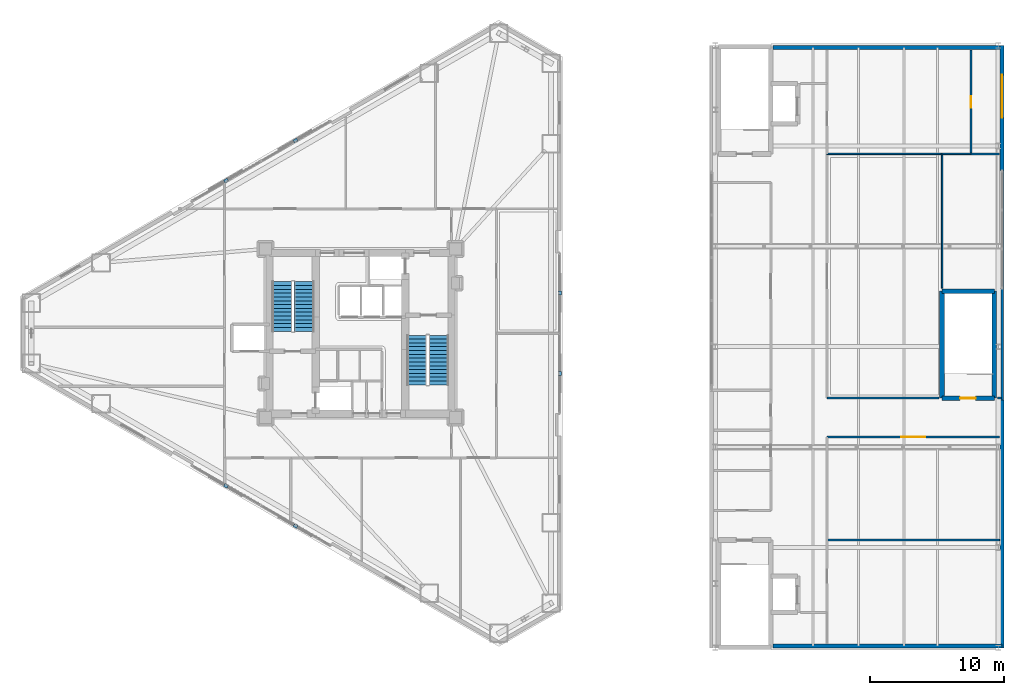
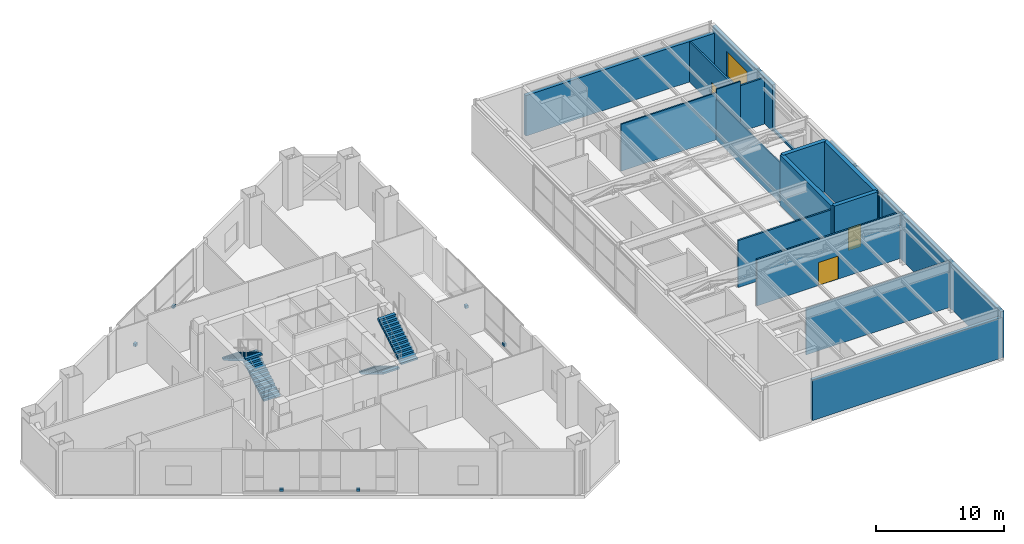
# One storey, part 25 of 27: 19 walls, 6 discrete accessories, 4 stair flights, 3 doors, 1 window, 4 openings, 2 elements without a shape of their own.
"""IFC4 building model written with IfcOpenShell, lengths in metres."""

from ifc_helpers import new_model, si_unit, direction, frame, frame_2d, origin, origin_2d, place, context, subcontext, project, spatial, polyline, rectangle, outline, extrude, material, layer, layer_set, type_object, element, fill, aggregate, save


model = new_model("IFC4")

# Units and contexts
model_context = context("Model", 3, precision=1e-05, world=origin(), true_north=direction((0.0, 1.0)))
body_context = subcontext(model_context, "Body", "Model", "MODEL_VIEW")
ifc_project = project(units=[si_unit("LENGTHUNIT", "METRE"), si_unit("AREAUNIT", "SQUARE_METRE"), si_unit("VOLUMEUNIT", "CUBIC_METRE"), si_unit("PLANEANGLEUNIT", "RADIAN"), si_unit("MASSUNIT", "GRAM", prefix="KILO")], contexts=[model_context])

# Site, building, storey
site_placement = place(None, origin())
site = spatial("IfcSite", under=ifc_project, at=site_placement, CompositionType="ELEMENT")
building_placement = place(site_placement, origin())
building = spatial("IfcBuilding", under=site, at=building_placement, Name="Mersakhor Tower and Convention Hall", CompositionType="ELEMENT")
storey_placement = place(building_placement, frame((0.0, 0.0, 14.39990234375)))
storey = spatial("IfcBuildingStorey", under=building, at=storey_placement, Name="L03", CompositionType="ELEMENT", Elevation=14.39990234375)

# Wall
ifc_material_1 = material(Name="Precast concrete C45/55", Category="concrete")
ifc_layer_1 = layer(ifc_material_1, 0.300048828125)
ifc_layer_set_1 = layer_set([ifc_layer_1], Name="Precast concrete C45/55")
wall_type_1 = type_object("IfcWallType", Name="WL-EXT-300", PredefinedType="SOLIDWALL", material=ifc_layer_set_1)
wall_1_placement = place(storey_placement, frame((59.800048828125, 48.10009765625, 0.0), z_axis=(0.0, 0.0, 1.0), x_axis=(1.0, 0.0, 0.0)))
element("IfcWall", 1, at=wall_1_placement, inside=storey, type_object=wall_type_1, Name="Convention L03 Precast Facade Wall N1", PredefinedType="SOLIDWALL", context=body_context, shape_type="SweptSolid", body=[
    extrude(rectangle(XDim=17.125, YDim=0.300048828125, at=frame_2d((8.5625, 0.0))), origin(), (0.0, 0.0, 1.0), 3.8583984375),
])

# Wall, opening, window
wall_2_placement = place(storey_placement, frame((76.925048828125, 48.25, 0.0), z_axis=(0.0, 0.0, 1.0), x_axis=(0.0, -1.0, 0.0)))
wall_2 = element("IfcWall", 2, at=wall_2_placement, inside=storey, type_object=wall_type_1, Name="Convention L03 Precast Facade Wall E1", PredefinedType="SOLIDWALL", context=body_context, shape_type="SweptSolid", body=[
    extrude(rectangle(XDim=9.35009765625, YDim=0.300048828125, at=frame_2d((4.675048828125, 0.0))), origin(), (0.0, 0.0, 1.0), 4.41015625),
])
opening_1_placement = place(wall_2_placement, frame((2.199951171875, 0.0, 0.89990234375)))
opening_1 = element("IfcOpeningElement", 3, at=opening_1_placement, cuts=wall_2, Name="Opening W-11", PredefinedType="OPENING", context=body_context, shape_type="SweptSolid", body=[
    extrude(rectangle(XDim=3.199951171875, YDim=2.39990234375, at=frame_2d((1.60009765625, 1.199951171875))), frame((0.0, 0.159912109375, 0.0), z_axis=(0.0, -1.0, 0.0), x_axis=(1.0, 0.0, 0.0)), (0.0, 0.0, 1.0), 0.320068359375),
])
ifc_material_2 = material(Name="Dark solar low-E glazed aluminium window", Category="aluminium")
window_type = type_object("IfcWindowType", Name="WN-CNV-320x240", PartitioningType="SINGLE_PANEL", PredefinedType="WINDOW", material=ifc_material_2)
window_placement = place(opening_1_placement, origin())
window = element("IfcWindow", 4, at=window_placement, inside=storey, type_object=window_type, Name="Convention L03 Punched Facade Window E1", OverallHeight=2.39990234375, OverallWidth=3.199951171875, PartitioningType="SINGLE_PANEL", PredefinedType="WINDOW", context=body_context, shape_type="SweptSolid", body=[
    extrude(rectangle(XDim=3.199951171875, YDim=2.39990234375, at=frame_2d((1.60009765625, 1.199951171875))), frame((0.0, 0.030029296875, 0.0), z_axis=(0.0, -1.0, 0.0), x_axis=(1.0, 0.0, 0.0)), (0.0, 0.0, 1.0), 0.06005859375),
])
fill(opening_1, window)

# Walls
wall_3_placement = place(storey_placement, frame((76.925048828125, 21.75, 0.0), z_axis=(0.0, 0.0, 1.0), x_axis=(0.0, -1.0, 0.0)))
element("IfcWall", 5, at=wall_3_placement, inside=storey, type_object=wall_type_1, Name="Convention L03 Precast Facade Wall E2", PredefinedType="SOLIDWALL", context=body_context, shape_type="SweptSolid", body=[
    extrude(rectangle(XDim=18.5, YDim=0.300048828125, at=frame_2d((9.25, 0.0))), origin(), (0.0, 0.0, 1.0), 4.41015625),
])
wall_4_placement = place(storey_placement, frame((76.925048828125, 3.39990234375, 0.0), z_axis=(0.0, 0.0, 1.0), x_axis=(-1.0, 0.0, 0.0)))
element("IfcWall", 6, at=wall_4_placement, inside=storey, type_object=wall_type_1, Name="Convention L03 Precast Facade Wall S1", PredefinedType="SOLIDWALL", context=body_context, shape_type="SweptSolid", body=[
    extrude(rectangle(XDim=17.125, YDim=0.300048828125, at=frame_2d((8.5625, 0.0))), origin(), (0.0, 0.0, 1.0), 3.8583984375),
])
ifc_material_3 = material(Name="Precast concrete C40/50", Category="concrete")
ifc_layer_2 = layer(ifc_material_3, 0.199951171875)
ifc_layer_set_2 = layer_set([ifc_layer_2], Name="Precast concrete C40/50")
wall_type_2 = type_object("IfcWallType", Name="WL-PAR-200", PredefinedType="PARAPET", material=ifc_layer_set_2)
wall_5_placement = place(storey_placement, frame((76.955078125, 30.10009765625, 0.0), z_axis=(0.0, 0.0, 1.0), x_axis=(0.0, -1.0, 0.0)))
element("IfcWall", 7, at=wall_5_placement, inside=storey, type_object=wall_type_2, Name="Convention L03 Stair Core Facade Cladding EC3", PredefinedType="PARAPET", context=body_context, shape_type="SweptSolid", body=[
    extrude(rectangle(XDim=8.35009765625, YDim=0.199951171875, at=frame_2d((4.175048828125, 0.0))), origin(), (0.0, 0.0, 1.0), 4.41015625),
])
wall_6_placement = place(storey_placement, frame((76.925048828125, 38.89990234375, 0.0), z_axis=(0.0, 0.0, 1.0), x_axis=(0.0, -1.0, 0.0)))
element("IfcWall", 8, at=wall_6_placement, inside=storey, type_object=wall_type_2, Name="Convention L03 East Curtain Wall Upstand", PredefinedType="PARAPET", context=body_context, shape_type="SweptSolid", body=[
    extrude(rectangle(XDim=8.7998046875, YDim=0.199951171875, at=frame_2d((4.39990234375, 0.0))), origin(), (0.0, 0.0, 1.0), 0.2001953125),
])
ifc_material_4 = material(Name="Lightweight gypsum partition", Category="other")
ifc_layer_3 = layer(ifc_material_4, 0.10009765625)
ifc_layer_set_3 = layer_set([ifc_layer_3], Name="Lightweight gypsum partition")
wall_type_3 = type_object("IfcWallType", Name="WL-PRT-100", PredefinedType="PARTITIONING", material=ifc_layer_set_3)
wall_7_placement = place(storey_placement, frame((72.449951171875, 40.14990234375, 0.0), z_axis=(0.0, 0.0, 1.0), x_axis=(0.0, -1.0, 0.0)))
element("IfcWall", 9, at=wall_7_placement, inside=storey, type_object=wall_type_3, Name="L03 Interior Partition Wall P-086", PredefinedType="PARTITIONING", context=body_context, shape_type="SweptSolid", body=[
    extrude(rectangle(XDim=10.02490234375, YDim=0.10009765625, at=frame_2d((5.012451171875, 0.0))), origin(), (0.0, 0.0, 1.0), 3.8583984375),
])
ifc_material_5 = material(Name="Gypsum board acoustic partition", Category="other")
ifc_layer_4 = layer(ifc_material_5, 0.125)
ifc_layer_set_4 = layer_set([ifc_layer_4], Name="Gypsum board acoustic partition")
wall_type_4 = type_object("IfcWallType", Name="WL-PRT-125", PredefinedType="PARTITIONING", material=ifc_layer_set_4)
wall_8_placement = place(storey_placement, frame((63.85009765625, 40.14990234375, 0.0), z_axis=(0.0, 0.0, 1.0), x_axis=(1.0, 0.0, 0.0)))
element("IfcWall", 10, at=wall_8_placement, inside=storey, type_object=wall_type_4, Name="L03 Interior Partition Wall P-085", PredefinedType="PARTITIONING", context=body_context, shape_type="SweptSolid", body=[
    extrude(rectangle(XDim=8.599853515625, YDim=0.125, at=frame_2d((4.2998046875, 0.0))), origin(), (0.0, 0.0, 1.0), 4.478515625),
])
wall_9_placement = place(storey_placement, frame((76.7509765625, 11.300048828125, 0.0), z_axis=(0.0, 0.0, 1.0), x_axis=(-1.0, 0.0, 0.0)))
element("IfcWall", 11, at=wall_9_placement, inside=storey, type_object=wall_type_4, Name="L03 Interior Partition Wall P-087", PredefinedType="PARTITIONING", context=body_context, shape_type="SweptSolid", body=[
    extrude(rectangle(XDim=12.90087890625, YDim=0.125, at=frame_2d((6.450439453125, 0.0))), origin(), (0.0, 0.0, 1.0), 4.41015625),
])
wall_10_placement = place(storey_placement, frame((74.60009765625, 40.14990234375, 0.0), z_axis=(0.0, 0.0, 1.0), x_axis=(-1.0, 0.0, 0.0)))
element("IfcWall", 12, at=wall_10_placement, inside=storey, type_object=wall_type_4, Name="L03 Interior Partition Wall P-091", PredefinedType="PARTITIONING", context=body_context, shape_type="SweptSolid", body=[
    extrude(rectangle(XDim=2.150146484375, YDim=0.125, at=frame_2d((1.0751953125, 0.0))), origin(), (0.0, 0.0, 1.0), 4.800048828125),
])
ifc_material_6 = material(Name="Fire-rated gypsum board stud partition", Category="other")
ifc_layer_5 = layer(ifc_material_6, 0.14990234375)
ifc_layer_set_5 = layer_set([ifc_layer_5], Name="Fire-rated gypsum board stud partition")
wall_type_5 = type_object("IfcWallType", Name="WL-PRT-150", PredefinedType="PARTITIONING", material=ifc_layer_set_5)
wall_11_placement = place(storey_placement, frame((63.85009765625, 21.89990234375, 0.0), z_axis=(0.0, 0.0, 1.0), x_axis=(1.0, 0.0, 0.0)))
element("IfcWall", 13, at=wall_11_placement, inside=storey, type_object=wall_type_5, Name="L03 Interior Partition Wall P-030", PredefinedType="PARTITIONING", context=body_context, shape_type="SweptSolid", body=[
    extrude(rectangle(XDim=8.375, YDim=0.14990234375, at=frame_2d((4.1875, 0.0))), origin(), (0.0, 0.0, 1.0), 4.478515625),
])
wall_12_placement = place(storey_placement, frame((76.574951171875, 21.89990234375, 0.0), z_axis=(0.0, 0.0, 1.0), x_axis=(1.0, 0.0, 0.0)))
element("IfcWall", 14, at=wall_12_placement, inside=storey, type_object=wall_type_5, Name="L03 Interior Partition Wall P-031", PredefinedType="PARTITIONING", context=body_context, shape_type="SweptSolid", body=[
    extrude(rectangle(XDim=0.320068359375, YDim=0.14990234375, at=frame_2d((0.16015625, 0.0))), origin(), (0.0, 0.0, 1.0), 4.41015625),
])

# Wall, opening, door
wall_13_placement = place(storey_placement, frame((76.7509765625, 19.0, 0.0), z_axis=(0.0, 0.0, 1.0), x_axis=(-1.0, 0.0, 0.0)))
wall_13 = element("IfcWall", 15, at=wall_13_placement, inside=storey, type_object=wall_type_5, Name="L03 Interior Partition Wall P-032", PredefinedType="PARTITIONING", context=body_context, shape_type="SweptSolid", body=[
    extrude(rectangle(XDim=12.90087890625, YDim=0.14990234375, at=frame_2d((6.450439453125, 0.0))), origin(), (0.0, 0.0, 1.0), 4.41015625),
])
opening_2_placement = place(wall_13_placement, frame((5.550537109375, 0.0, 0.0)))
opening_2 = element("IfcOpeningElement", 16, at=opening_2_placement, cuts=wall_13, Name="Opening HD-01", PredefinedType="OPENING", context=body_context, shape_type="SweptSolid", body=[
    extrude(rectangle(XDim=1.800048828125, YDim=2.199951171875, at=frame_2d((0.89990234375, 1.10009765625))), frame((0.0, 0.0849609375, 0.0), z_axis=(0.0, -1.0, 0.0), x_axis=(1.0, 0.0, 0.0)), (0.0, 0.0, 1.0), 0.169921875),
])
ifc_material_7 = material(Name="Fire-rated hardwood leaf and painted steel frame", Category="steel")
door_type_1 = type_object("IfcDoorType", Name="DR-INT-HALL-180x220", OperationType="NOTDEFINED", PredefinedType="DOOR", material=ifc_material_7)
door_1_placement = place(opening_2_placement, origin())
door_1 = element("IfcDoor", 17, at=door_1_placement, inside=storey, type_object=door_type_1, Name="L03 Convention Hall Concourse Corridor to South Civic Seminar Hall Door", OperationType="DOUBLE_DOOR_SINGLE_SWING", OverallHeight=2.199951171875, OverallWidth=1.800048828125, PredefinedType="DOOR", context=body_context, shape_type="SweptSolid", body=[
    extrude(rectangle(XDim=1.800048828125, YDim=2.199951171875, at=frame_2d((0.89990234375, 1.10009765625))), frame((0.0, 0.02490234375, 0.0), z_axis=(0.0, -1.0, 0.0), x_axis=(1.0, 0.0, 0.0)), (0.0, 0.0, 1.0), 0.050048828125),
])
fill(opening_2, door_1)

wall_14_placement = place(storey_placement, frame((74.60009765625, 47.926025390625, 0.0), z_axis=(0.0, 0.0, 1.0), x_axis=(0.0, -1.0, 0.0)))
wall_14 = element("IfcWall", 18, at=wall_14_placement, inside=storey, type_object=wall_type_5, Name="L03 Interior Partition Wall P-090", PredefinedType="PARTITIONING", context=body_context, shape_type="SweptSolid", body=[
    extrude(rectangle(XDim=7.776123046875, YDim=0.14990234375, at=frame_2d((3.88818359375, 0.0))), origin(), (0.0, 0.0, 1.0), 3.8583984375),
])
opening_3_placement = place(wall_14_placement, frame((3.462890625, 0.0, 0.0)))
opening_3 = element("IfcOpeningElement", 19, at=opening_3_placement, cuts=wall_14, Name="Opening SVD-01", PredefinedType="OPENING", context=body_context, shape_type="SweptSolid", body=[
    extrude(rectangle(XDim=0.85009765625, YDim=2.10009765625, at=frame_2d((0.425048828125, 1.050048828125))), frame((0.0, 0.0849609375, 0.0), z_axis=(0.0, -1.0, 0.0), x_axis=(1.0, 0.0, 0.0)), (0.0, 0.0, 1.0), 0.169921875),
])
ifc_material_8 = material(Name="Fire-rated hardwood leaf and painted steel frame", Category="steel")
door_type_2 = type_object("IfcDoorType", Name="DR-INT-SVC-085x210", OperationType="NOTDEFINED", PredefinedType="DOOR", material=ifc_material_8)
door_2_placement = place(opening_3_placement, origin())
door_2 = element("IfcDoor", 20, at=door_2_placement, inside=storey, type_object=door_type_2, Name="L03 Civic Press and Delegate Lounge to Press Broadcast Equipment Store Door", OperationType="SINGLE_SWING_RIGHT", OverallHeight=2.10009765625, OverallWidth=0.85009765625, PredefinedType="DOOR", context=body_context, shape_type="SweptSolid", body=[
    extrude(rectangle(XDim=0.85009765625, YDim=2.10009765625, at=frame_2d((0.425048828125, 1.050048828125))), frame((0.0, 0.02490234375, 0.0), z_axis=(0.0, -1.0, 0.0), x_axis=(1.0, 0.0, 0.0)), (0.0, 0.0, 1.0), 0.050048828125),
])
fill(opening_3, door_2)

# Walls
wall_15_placement = place(storey_placement, frame((76.7509765625, 40.14990234375, 0.0), z_axis=(0.0, 0.0, 1.0), x_axis=(-1.0, 0.0, 0.0)))
element("IfcWall", 21, at=wall_15_placement, inside=storey, type_object=wall_type_5, Name="L03 Interior Partition Wall P-092", PredefinedType="PARTITIONING", context=body_context, shape_type="SweptSolid", body=[
    extrude(rectangle(XDim=2.15087890625, YDim=0.14990234375, at=frame_2d((1.075439453125, 0.0))), origin(), (0.0, 0.0, 1.0), 4.41015625),
])
ifc_material_9 = material(Name="Concrete C50/60", Category="concrete")
ifc_layer_6 = layer(ifc_material_9, 0.35009765625)
ifc_layer_set_6 = layer_set([ifc_layer_6], Name="Concrete C50/60")
wall_type_6 = type_object("IfcWallType", Name="WL-SHR-350", PredefinedType="SHEAR", material=ifc_layer_set_6)
for number, where, z_axis, x_axis, name in (
    (22, (76.35009765625, 29.89990234375, 0.0), (0.0, 0.0, 1.0), (0.0, -1.0, 0.0), "L03 CHST3 East Shear Wall"),
    (23, (72.449951171875, 21.89990234375, 0.0), (0.0, 0.0, 1.0), (0.0, 1.0, 0.0), "L03 CHST3 West Shear Wall"),
):
    element("IfcWall", number, at=place(storey_placement, frame(where, z_axis=z_axis, x_axis=x_axis)), inside=storey, type_object=wall_type_6, Name=name, PredefinedType="SHEAR", context=body_context, shape_type="SweptSolid", body=[
        extrude(rectangle(XDim=8.0, YDim=0.35009765625, at=frame_2d((4.0, 0.0))), origin(), (0.0, 0.0, 1.0), 4.800048828125),
    ])
wall_16_placement = place(storey_placement, frame((72.449951171875, 29.89990234375, 0.0), z_axis=(0.0, 0.0, 1.0), x_axis=(1.0, 0.0, 0.0)))
element("IfcWall", 24, at=wall_16_placement, inside=storey, type_object=wall_type_6, Name="L03 CHST3 North Shear Wall", PredefinedType="SHEAR", context=body_context, shape_type="SweptSolid", body=[
    extrude(rectangle(XDim=3.900146484375, YDim=0.35009765625, at=frame_2d((1.9501953125, 0.0))), origin(), (0.0, 0.0, 1.0), 4.800048828125),
])

# Wall, opening, door
wall_17_placement = place(storey_placement, frame((72.449951171875, 21.89990234375, 0.0), z_axis=(0.0, 0.0, 1.0), x_axis=(1.0, 0.0, 0.0)))
wall_17 = element("IfcWall", 25, at=wall_17_placement, inside=storey, type_object=wall_type_6, Name="L03 CHST3 South Shear Wall", PredefinedType="SHEAR", context=body_context, shape_type="SweptSolid", body=[
    extrude(rectangle(XDim=3.900146484375, YDim=0.35009765625, at=frame_2d((1.9501953125, 0.0))), origin(), (0.0, 0.0, 1.0), 4.800048828125),
])
opening_4_placement = place(wall_17_placement, frame((1.35009765625, 0.0, 0.0)))
opening_4 = element("IfcOpeningElement", 26, at=opening_4_placement, cuts=wall_17, Name="Opening SD-01", PredefinedType="OPENING", context=body_context, shape_type="SweptSolid", body=[
    extrude(rectangle(XDim=1.14990234375, YDim=2.14990234375, at=frame_2d((0.574951171875, 1.074951171875))), frame((0.0, 0.18505859375, 0.0), z_axis=(0.0, -1.0, 0.0), x_axis=(1.0, 0.0, 0.0)), (0.0, 0.0, 1.0), 0.3701171875),
])
ifc_material_10 = material(Name="Fire-rated hardwood leaf and painted steel frame", Category="steel")
door_type_3 = type_object("IfcDoorType", Name="DR-INT-STAIR-115x215", OperationType="NOTDEFINED", PredefinedType="DOOR", material=ifc_material_10)
door_3_placement = place(opening_4_placement, origin())
door_3 = element("IfcDoor", 27, at=door_3_placement, inside=storey, type_object=door_type_3, Name="L03 Convention Stair CH-ST3 Door", OperationType="SINGLE_SWING_LEFT", OverallHeight=2.14990234375, OverallWidth=1.14990234375, PredefinedType="DOOR", context=body_context, shape_type="SweptSolid", body=[
    extrude(rectangle(XDim=1.14990234375, YDim=2.14990234375, at=frame_2d((0.574951171875, 1.074951171875))), frame((0.0, 0.02490234375, 0.0), z_axis=(0.0, -1.0, 0.0), x_axis=(1.0, 0.0, 0.0)), (0.0, 0.0, 1.0), 0.050048828125),
])
fill(opening_4, door_3)

# Stair, stair flights
ifc_material_11 = material(Name="Concrete C45/55", Category="concrete")
stair_type = type_object("IfcStairType", Name="ST-TWR-28R", PredefinedType="HALF_TURN_STAIR", material=ifc_material_11)
stair_1_placement = place(storey_placement, origin())
stair_1 = element("IfcStair", 28, at=stair_1_placement, inside=storey, type_object=stair_type, Name="L03 Tower Protected Exit Stair ST-1", PredefinedType="HALF_TURN_STAIR")
ifc_material_12 = material(Name="Concrete C45/55", Category="concrete")
stair_flight_type = type_object("IfcStairFlightType", Name="SFL-TWR-28R", PredefinedType="STRAIGHT", material=ifc_material_12)
stair_flight_1_placement = place(storey_placement, frame((24.800048828125, 26.89990234375, 0.0), z_axis=(0.0, 0.0, 1.0), x_axis=(0.0, 1.0, 0.0)))
stair_flight_1 = element("IfcStairFlight", 29, at=stair_flight_1_placement, type_object=stair_flight_type, Name="ST-1 flight 1", NumberOfRisers=14, NumberOfTreads=13, PredefinedType="STRAIGHT", RiserHeight=0.171428571, TreadLength=0.285, context=body_context, shape_type="SweptSolid", body=[
    extrude(outline(polyline([(0.0, 0.0), (0.0, 0.17138671875), (0.284912109375, 0.17138671875), (0.284912109375, 0.3427734375), (0.570068359375, 0.3427734375), (0.570068359375, 0.514404296875), (0.85498046875, 0.514404296875), (0.85498046875, 0.685791015625), (1.139892578125, 0.685791015625), (1.139892578125, 0.857177734375), (1.425048828125, 0.857177734375), (1.425048828125, 1.028564453125), (1.7099609375, 1.028564453125), (1.7099609375, 1.199951171875), (1.9951171875, 1.199951171875), (1.9951171875, 1.371337890625), (2.280029296875, 1.371337890625), (2.280029296875, 1.54296875), (2.56494140625, 1.54296875), (2.56494140625, 1.71435546875), (2.85009765625, 1.71435546875), (2.85009765625, 1.8857421875), (3.135009765625, 1.8857421875), (3.135009765625, 2.05712890625), (3.419921875, 2.05712890625), (3.419921875, 2.228515625), (3.705078125, 2.228515625), (3.705078125, 2.39990234375), (3.705078125, 2.0537109375), (0.290771484375, 0.0), (0.0, 0.0)])), frame((0.0, 0.75, 0.0), z_axis=(0.0, -1.0, 0.0), x_axis=(1.0, 0.0, 0.0)), (0.0, 0.0, 1.0), 1.5),
])
stair_flight_2_placement = place(storey_placement, frame((23.14990234375, 30.60498046875, 2.400146484375), z_axis=(0.0, 0.0, 1.0), x_axis=(0.0, -1.0, 0.0)))
stair_flight_2 = element("IfcStairFlight", 30, at=stair_flight_2_placement, type_object=stair_flight_type, Name="ST-1 flight 2", NumberOfRisers=14, NumberOfTreads=13, PredefinedType="STRAIGHT", RiserHeight=0.171428571, TreadLength=0.285, context=body_context, shape_type="SweptSolid", body=[
    extrude(outline(polyline([(0.0, 0.0), (0.0, 0.17138671875), (0.284912109375, 0.17138671875), (0.284912109375, 0.3427734375), (0.570068359375, 0.3427734375), (0.570068359375, 0.514404296875), (0.85498046875, 0.514404296875), (0.85498046875, 0.685791015625), (1.139892578125, 0.685791015625), (1.139892578125, 0.857177734375), (1.425048828125, 0.857177734375), (1.425048828125, 1.028564453125), (1.7099609375, 1.028564453125), (1.7099609375, 1.199951171875), (1.9951171875, 1.199951171875), (1.9951171875, 1.371337890625), (2.280029296875, 1.371337890625), (2.280029296875, 1.54296875), (2.56494140625, 1.54296875), (2.56494140625, 1.71435546875), (2.85009765625, 1.71435546875), (2.85009765625, 1.8857421875), (3.135009765625, 1.8857421875), (3.135009765625, 2.05712890625), (3.419921875, 2.05712890625), (3.419921875, 2.228515625), (3.705078125, 2.228515625), (3.705078125, 2.39990234375), (3.705078125, 2.0537109375), (0.290771484375, 0.0), (0.0, 0.0)])), frame((0.0, 0.75, 0.0), z_axis=(0.0, -1.0, 0.0), x_axis=(1.0, 0.0, 0.0)), (0.0, 0.0, 1.0), 1.5),
])
aggregate(stair_1, [stair_flight_1, stair_flight_2])

stair_2_placement = place(storey_placement, origin())
stair_2 = element("IfcStair", 31, at=stair_2_placement, inside=storey, type_object=stair_type, Name="L03 Tower Protected Exit Stair ST-2", PredefinedType="HALF_TURN_STAIR")
stair_flight_3_placement = place(storey_placement, frame((33.199951171875, 26.60009765625, 0.0), z_axis=(0.0, 0.0, 1.0), x_axis=(0.0, -1.0, 0.0)))
stair_flight_3 = element("IfcStairFlight", 32, at=stair_flight_3_placement, type_object=stair_flight_type, Name="ST-2 flight 1", NumberOfRisers=14, NumberOfTreads=13, PredefinedType="STRAIGHT", RiserHeight=0.171428571, TreadLength=0.285, context=body_context, shape_type="SweptSolid", body=[
    extrude(outline(polyline([(0.0, 0.0), (0.0, 0.17138671875), (0.284912109375, 0.17138671875), (0.284912109375, 0.3427734375), (0.570068359375, 0.3427734375), (0.570068359375, 0.514404296875), (0.85498046875, 0.514404296875), (0.85498046875, 0.685791015625), (1.139892578125, 0.685791015625), (1.139892578125, 0.857177734375), (1.425048828125, 0.857177734375), (1.425048828125, 1.028564453125), (1.7099609375, 1.028564453125), (1.7099609375, 1.199951171875), (1.9951171875, 1.199951171875), (1.9951171875, 1.371337890625), (2.280029296875, 1.371337890625), (2.280029296875, 1.54296875), (2.56494140625, 1.54296875), (2.56494140625, 1.71435546875), (2.85009765625, 1.71435546875), (2.85009765625, 1.8857421875), (3.135009765625, 1.8857421875), (3.135009765625, 2.05712890625), (3.419921875, 2.05712890625), (3.419921875, 2.228515625), (3.705078125, 2.228515625), (3.705078125, 2.39990234375), (3.705078125, 2.0537109375), (0.290771484375, 0.0), (0.0, 0.0)])), frame((0.0, 0.75, 0.0), z_axis=(0.0, -1.0, 0.0), x_axis=(1.0, 0.0, 0.0)), (0.0, 0.0, 1.0), 1.5),
])
stair_flight_4_placement = place(storey_placement, frame((34.85009765625, 22.89501953125, 2.400146484375), z_axis=(0.0, 0.0, 1.0), x_axis=(0.0, 1.0, 0.0)))
stair_flight_4 = element("IfcStairFlight", 33, at=stair_flight_4_placement, type_object=stair_flight_type, Name="ST-2 flight 2", NumberOfRisers=14, NumberOfTreads=13, PredefinedType="STRAIGHT", RiserHeight=0.171428571, TreadLength=0.285, context=body_context, shape_type="SweptSolid", body=[
    extrude(outline(polyline([(0.0, 0.0), (0.0, 0.17138671875), (0.284912109375, 0.17138671875), (0.284912109375, 0.3427734375), (0.570068359375, 0.3427734375), (0.570068359375, 0.514404296875), (0.85498046875, 0.514404296875), (0.85498046875, 0.685791015625), (1.139892578125, 0.685791015625), (1.139892578125, 0.857177734375), (1.425048828125, 0.857177734375), (1.425048828125, 1.028564453125), (1.7099609375, 1.028564453125), (1.7099609375, 1.199951171875), (1.9951171875, 1.199951171875), (1.9951171875, 1.371337890625), (2.280029296875, 1.371337890625), (2.280029296875, 1.54296875), (2.56494140625, 1.54296875), (2.56494140625, 1.71435546875), (2.85009765625, 1.71435546875), (2.85009765625, 1.8857421875), (3.135009765625, 1.8857421875), (3.135009765625, 2.05712890625), (3.419921875, 2.05712890625), (3.419921875, 2.228515625), (3.705078125, 2.228515625), (3.705078125, 2.39990234375), (3.705078125, 2.0537109375), (0.290771484375, 0.0), (0.0, 0.0)])), frame((0.0, 0.75, 0.0), z_axis=(0.0, -1.0, 0.0), x_axis=(1.0, 0.0, 0.0)), (0.0, 0.0, 1.0), 1.5),
])
aggregate(stair_2, [stair_flight_3, stair_flight_4])

# Discrete accessories
ifc_material_13 = material(Name="Galvanised steel bracket", Category="steel")
ifc_layer_7 = layer(ifc_material_13, 0.02001953125)
ifc_layer_set_7 = layer_set([ifc_layer_7], Name="Galvanised steel bracket")
discrete_accessory_type = type_object("IfcDiscreteAccessoryType", Name="ACC-BRK-STL", PredefinedType="BRACKET", material=ifc_layer_set_7)
for number, where, z_axis, x_axis, name in (
    (34, (18.957763671875, 38.156982421875, 0.2900390625), (0.0, 0.0, 1.0), (0.866025403784, 0.5, 0.0), "L03 Solar Screen Outrigger Bracket BRK-1-1"),
    (35, (24.142333984375, 41.150390625, 0.2900390625), (0.0, 0.0, 1.0), (0.866025403784, 0.5, 0.0), "L03 Solar Screen Outrigger Bracket BRK-1-2"),
    (36, (43.89990234375, 29.743408203125, 0.2900390625), (0.0, 0.0, 1.0), (0.0, -1.0, 0.0), "L03 Solar Screen Outrigger Bracket BRK-2-1"),
    (37, (43.89990234375, 23.756591796875, 0.2900390625), (0.0, 0.0, 1.0), (0.0, -1.0, 0.0), "L03 Solar Screen Outrigger Bracket BRK-2-2"),
    (38, (24.14208984375, 12.349609375, 0.2900390625), (0.0, 0.0, 1.0), (-0.866025403784, 0.5, 0.0), "L03 Solar Screen Outrigger Bracket BRK-3-1"),
    (39, (18.957763671875, 15.3427734375, 0.2900390625), (0.0, 0.0, 1.0), (-0.866025403784, 0.5, 0.0), "L03 Solar Screen Outrigger Bracket BRK-3-2"),
):
    element("IfcDiscreteAccessory", number, at=place(storey_placement, frame(where, z_axis=z_axis, x_axis=x_axis)), inside=storey, type_object=discrete_accessory_type, Name=name, PredefinedType="BRACKET", context=body_context, shape_type="SweptSolid", body=[
        extrude(rectangle(XDim=0.300048828125, YDim=0.239990234375, at=origin_2d()), origin(), (0.0, 0.0, 1.0), 0.260009765625),
    ])

save(model, "model.ifc")
